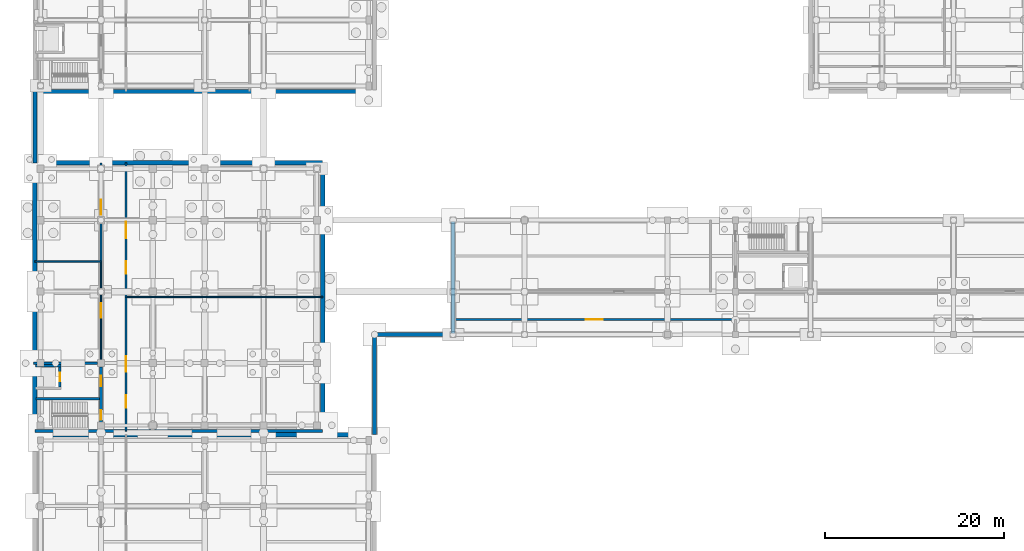
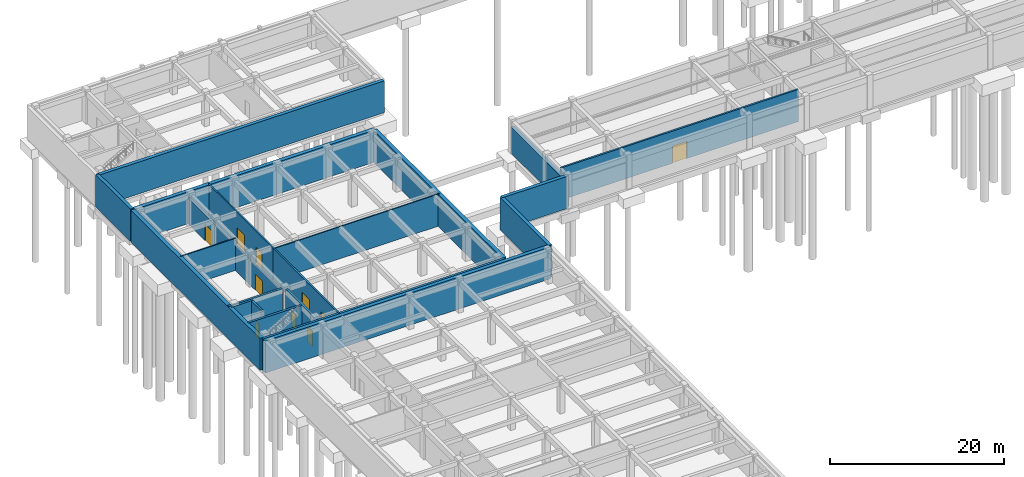
# One storey, part 21 of 35: 22 walls, 10 doors, 10 openings.
"""IFC4 building model written with IfcOpenShell, lengths in metres."""

from ifc_helpers import new_model, si_unit, direction, frame, frame_2d, origin, place, context, subcontext, project, spatial, rectangle, extrude, material, layer, layer_set, type_object, element, fill, save


model = new_model("IFC4")

# Units and contexts
model_context = context("Model", 3, precision=1e-05, world=origin(), true_north=direction((0.0, 1.0)))
body_context = subcontext(model_context, "Body", "Model", "MODEL_VIEW")
ifc_project = project(units=[si_unit("LENGTHUNIT", "METRE"), si_unit("AREAUNIT", "SQUARE_METRE"), si_unit("VOLUMEUNIT", "CUBIC_METRE"), si_unit("PLANEANGLEUNIT", "RADIAN"), si_unit("MASSUNIT", "GRAM", prefix="KILO")], contexts=[model_context])

# Site, building, storey
site_placement = place(None, origin())
site = spatial("IfcSite", under=ifc_project, at=site_placement, CompositionType="ELEMENT")
building_placement = place(site_placement, origin())
building = spatial("IfcBuilding", under=site, at=building_placement, Name="Cinchona Park Media Centre", CompositionType="ELEMENT")
storey_placement = place(building_placement, frame((0.0, 0.0, -4.800048828125)))
storey = spatial("IfcBuildingStorey", under=building, at=storey_placement, Name="B1", CompositionType="ELEMENT", Elevation=-4.800048828125)

# Wall, openings, doors
ifc_material_1 = material(Name="Acoustic Double-Stud Gypsum Partition", Category="gypsum")
ifc_layer_1 = layer(ifc_material_1, 0.2099609375)
ifc_layer_set_1 = layer_set([ifc_layer_1], Name="Acoustic Double-Stud Gypsum Partition")
wall_type_1 = type_object("IfcWallType", Name="WALL-W-AC210", PredefinedType="PARTITIONING", material=ifc_layer_set_1)
wall_1_placement = place(storey_placement, frame((18.199951171875, 79.0, 0.0), z_axis=(0.0, 0.0, 1.0), x_axis=(0.0, -1.0, 0.0)))
wall_1 = element("IfcWall", 1, at=wall_1_placement, inside=storey, type_object=wall_type_1, Name="Interior Wall W-AC210 B1", PredefinedType="PARTITIONING", context=body_context, shape_type="SweptSolid", body=[
    extrude(rectangle(XDim=15.0, YDim=0.2099609375, at=frame_2d((7.5, 0.0))), origin(), (0.0, 0.0, 1.0), 4.5),
])
opening_1_placement = place(wall_1_placement, frame((6.625, 0.0, 0.0)))
opening_1 = element("IfcOpeningElement", 2, at=opening_1_placement, cuts=wall_1, Name="Opening D156", PredefinedType="OPENING", context=body_context, shape_type="SweptSolid", body=[
    extrude(rectangle(XDim=1.75, YDim=2.35009765625, at=frame_2d((0.875, 1.175048828125))), frame((0.0, 0.114990234375, 0.0), z_axis=(0.0, -1.0, 0.0), x_axis=(1.0, 0.0, 0.0)), (0.0, 0.0, 1.0), 0.22998046875),
])
opening_2_placement = place(wall_1_placement, frame((11.0, 0.0, 0.0)))
opening_2 = element("IfcOpeningElement", 3, at=opening_2_placement, cuts=wall_1, Name="Opening D157", PredefinedType="OPENING", context=body_context, shape_type="SweptSolid", body=[
    extrude(rectangle(XDim=1.39990234375, YDim=2.25, at=frame_2d((0.699951171875, 1.125))), frame((0.0, 0.114990234375, 0.0), z_axis=(0.0, -1.0, 0.0), x_axis=(1.0, 0.0, 0.0)), (0.0, 0.0, 1.0), 0.22998046875),
])
ifc_material_2 = material(Name="Acoustic Double-Seal Steel Door", Category="steel")
door_type_1 = type_object("IfcDoorType", Name="DOOR-DT-AC", OperationType="NOTDEFINED", PredefinedType="DOOR", material=ifc_material_2)
door_1_placement = place(opening_2_placement, origin())
door_1 = element("IfcDoor", 4, at=door_1_placement, inside=storey, type_object=door_type_1, Name="Interior Door D157", OperationType="SINGLE_SWING_LEFT", OverallHeight=2.25, OverallWidth=1.39990234375, PredefinedType="DOOR", context=body_context, shape_type="SweptSolid", body=[
    extrude(rectangle(XDim=1.39990234375, YDim=2.25, at=frame_2d((0.699951171875, 1.125))), frame((0.0, 0.02490234375, 0.0), z_axis=(0.0, -1.0, 0.0), x_axis=(1.0, 0.0, 0.0)), (0.0, 0.0, 1.0), 0.050048828125),
])
fill(opening_2, door_1)
ifc_material_3 = material(Name="Fire-Rated Acoustic Timber-Steel Door", Category="steel")
door_type_2 = type_object("IfcDoorType", Name="DOOR-DT20", OperationType="NOTDEFINED", PredefinedType="DOOR", material=ifc_material_3)
door_2_placement = place(opening_1_placement, origin())
door_2 = element("IfcDoor", 5, at=door_2_placement, inside=storey, type_object=door_type_2, Name="Interior Door D156", OperationType="SINGLE_SWING_RIGHT", OverallHeight=2.35009765625, OverallWidth=1.75, PredefinedType="DOOR", context=body_context, shape_type="SweptSolid", body=[
    extrude(rectangle(XDim=1.75, YDim=2.35009765625, at=frame_2d((0.875, 1.175048828125))), frame((0.0, 0.02490234375, 0.0), z_axis=(0.0, -1.0, 0.0), x_axis=(1.0, 0.0, 0.0)), (0.0, 0.0, 1.0), 0.050048828125),
])
fill(opening_1, door_2)

# Wall, opening, door
ifc_material_4 = material(Name="Acoustic Double-Stud Gypsum Partition", Category="gypsum")
ifc_layer_2 = layer(ifc_material_4, 0.239990234375)
ifc_layer_set_2 = layer_set([ifc_layer_2], Name="Acoustic Double-Stud Gypsum Partition")
wall_type_2 = type_object("IfcWallType", Name="WALL-W-AC240", PredefinedType="PARTITIONING", material=ifc_layer_set_2)
wall_2_placement = place(storey_placement, frame((15.39990234375, 83.0, 0.0), z_axis=(0.0, 0.0, 1.0), x_axis=(0.0, 1.0, 0.0)))
wall_2 = element("IfcWall", 6, at=wall_2_placement, inside=storey, type_object=wall_type_2, Name="Interior Wall W-AC240 B1", PredefinedType="PARTITIONING", context=body_context, shape_type="SweptSolid", body=[
    extrude(rectangle(XDim=11.0, YDim=0.239990234375, at=frame_2d((5.5, 0.0))), origin(), (0.0, 0.0, 1.0), 3.650146484375),
])
opening_3_placement = place(wall_2_placement, frame((5.179931640625, 0.0, 0.0)))
opening_3 = element("IfcOpeningElement", 7, at=opening_3_placement, cuts=wall_2, Name="Opening D155", PredefinedType="OPENING", context=body_context, shape_type="SweptSolid", body=[
    extrude(rectangle(XDim=1.699951171875, YDim=2.300048828125, at=frame_2d((0.85009765625, 1.14990234375))), frame((0.0, 0.1298828125, 0.0), z_axis=(0.0, -1.0, 0.0), x_axis=(1.0, 0.0, 0.0)), (0.0, 0.0, 1.0), 0.260009765625),
])
ifc_material_5 = material(Name="Fire-Rated Acoustic Timber-Steel Door", Category="steel")
door_type_3 = type_object("IfcDoorType", Name="DOOR-DT19", OperationType="NOTDEFINED", PredefinedType="DOOR", material=ifc_material_5)
door_3_placement = place(opening_3_placement, origin())
door_3 = element("IfcDoor", 8, at=door_3_placement, inside=storey, type_object=door_type_3, Name="Interior Door D155", OperationType="SINGLE_SWING_LEFT", OverallHeight=2.300048828125, OverallWidth=1.699951171875, PredefinedType="DOOR", context=body_context, shape_type="SweptSolid", body=[
    extrude(rectangle(XDim=1.699951171875, YDim=2.300048828125, at=frame_2d((0.85009765625, 1.14990234375))), frame((0.0, 0.02490234375, 0.0), z_axis=(0.0, -1.0, 0.0), x_axis=(1.0, 0.0, 0.0)), (0.0, 0.0, 1.0), 0.050048828125),
])
fill(opening_3, door_3)

wall_3_placement = place(storey_placement, frame((86.39990234375, 76.5, 0.0), z_axis=(0.0, 0.0, 1.0), x_axis=(-1.0, 0.0, 0.0)))
wall_3 = element("IfcWall", 9, at=wall_3_placement, inside=storey, type_object=wall_type_2, Name="Interior Wall W-AC240 B1", PredefinedType="PARTITIONING", context=body_context, shape_type="SweptSolid", body=[
    extrude(rectangle(XDim=31.599853515625, YDim=0.239990234375, at=frame_2d((15.7998046875, 0.0))), origin(), (0.0, 0.0, 1.0), 4.52001953125),
])
opening_4_placement = place(wall_3_placement, frame((14.860107421875, 0.0, 0.0)))
opening_4 = element("IfcOpeningElement", 10, at=opening_4_placement, cuts=wall_3, Name="Opening D160", PredefinedType="OPENING", context=body_context, shape_type="SweptSolid", body=[
    extrude(rectangle(XDim=1.8798828125, YDim=2.39990234375, at=frame_2d((0.93994140625, 1.199951171875))), frame((0.0, 0.1298828125, 0.0), z_axis=(0.0, -1.0, 0.0), x_axis=(1.0, 0.0, 0.0)), (0.0, 0.0, 1.0), 0.260009765625),
])
ifc_material_6 = material(Name="Fire-Rated Acoustic Timber-Steel Door", Category="steel")
door_type_4 = type_object("IfcDoorType", Name="DOOR-DT22", OperationType="NOTDEFINED", PredefinedType="DOOR", material=ifc_material_6)
door_4_placement = place(opening_4_placement, origin())
door_4 = element("IfcDoor", 11, at=door_4_placement, inside=storey, type_object=door_type_4, Name="Interior Door D160", OperationType="SINGLE_SWING_RIGHT", OverallHeight=2.39990234375, OverallWidth=1.8798828125, PredefinedType="DOOR", context=body_context, shape_type="SweptSolid", body=[
    extrude(rectangle(XDim=1.8798828125, YDim=2.39990234375, at=frame_2d((0.93994140625, 1.199951171875))), frame((0.0, 0.02490234375, 0.0), z_axis=(0.0, -1.0, 0.0), x_axis=(1.0, 0.0, 0.0)), (0.0, 0.0, 1.0), 0.050048828125),
])
fill(opening_4, door_4)

# Walls
ifc_material_7 = material(Name="Concrete C40/50", Category="concrete")
ifc_layer_3 = layer(ifc_material_7, 0.300048828125)
ifc_layer_set_3 = layer_set([ifc_layer_3], Name="Concrete C40/50")
wall_type_3 = type_object("IfcWallType", Name="WALL-W-CR300", PredefinedType="SHEAR", material=ifc_layer_set_3)
wall_4_placement = place(storey_placement, frame((40.199951171875, 64.0, 0.0), z_axis=(0.0, 0.0, 1.0), x_axis=(-1.0, 0.0, 0.0)))
element("IfcWall", 12, at=wall_4_placement, inside=storey, type_object=wall_type_3, Name="Basement Retaining Wall W-CR300", PredefinedType="SHEAR", context=body_context, shape_type="SweptSolid", body=[
    extrude(rectangle(XDim=32.199951171875, YDim=0.300048828125, at=frame_2d((16.10009765625, 0.0))), origin(), (0.0, 0.0, 1.0), 4.5),
])
wall_5_placement = place(storey_placement, frame((7.85009765625, 71.60009765625, 0.0), z_axis=(0.0, 0.0, 1.0), x_axis=(1.0, 0.0, 0.0)))
element("IfcWall", 13, at=wall_5_placement, inside=storey, type_object=wall_type_3, Name="Core Shear Wall W-CR300 B1", PredefinedType="SHEAR", context=body_context, shape_type="SweptSolid", body=[
    extrude(rectangle(XDim=7.14794921875, YDim=0.300048828125, at=frame_2d((3.573974609375, 0.0))), origin(), (0.0, 0.0, 1.0), 4.5),
])

# Wall, openings, doors
wall_6_placement = place(storey_placement, frame((15.39990234375, 64.14990234375, 0.0), z_axis=(0.0, 0.0, 1.0), x_axis=(0.0, 1.0, 0.0)))
wall_6 = element("IfcWall", 14, at=wall_6_placement, inside=storey, type_object=wall_type_3, Name="Core Shear Wall W-CR300 B1", PredefinedType="SHEAR", context=body_context, shape_type="SweptSolid", body=[
    extrude(rectangle(XDim=7.048095703125, YDim=0.300048828125, at=frame_2d((3.52392578125, 0.0))), origin(), (0.0, 0.0, 1.0), 4.5),
])
opening_5_placement = place(wall_6_placement, frame((1.10009765625, 0.0, 0.0)))
opening_5 = element("IfcOpeningElement", 15, at=opening_5_placement, cuts=wall_6, Name="Opening D032", PredefinedType="OPENING", context=body_context, shape_type="SweptSolid", body=[
    extrude(rectangle(XDim=1.10009765625, YDim=2.14990234375, at=frame_2d((0.550048828125, 1.074951171875))), frame((0.0, 0.159912109375, 0.0), z_axis=(0.0, -1.0, 0.0), x_axis=(1.0, 0.0, 0.0)), (0.0, 0.0, 1.0), 0.320068359375),
])
opening_6_placement = place(wall_6_placement, frame((4.875, 0.0, 0.0)))
opening_6 = element("IfcOpeningElement", 16, at=opening_6_placement, cuts=wall_6, Name="Opening D033", PredefinedType="OPENING", context=body_context, shape_type="SweptSolid", body=[
    extrude(rectangle(XDim=1.14990234375, YDim=2.199951171875, at=frame_2d((0.574951171875, 1.10009765625))), frame((0.0, 0.159912109375, 0.0), z_axis=(0.0, -1.0, 0.0), x_axis=(1.0, 0.0, 0.0)), (0.0, 0.0, 1.0), 0.320068359375),
])
ifc_material_8 = material(Name="Insulated Fire-Rated Steel Door", Category="steel")
door_type_5 = type_object("IfcDoorType", Name="DOOR-DT-FF", OperationType="NOTDEFINED", PredefinedType="DOOR", material=ifc_material_8)
door_5_placement = place(opening_6_placement, origin())
door_5 = element("IfcDoor", 17, at=door_5_placement, inside=storey, type_object=door_type_5, Name="Interior Door D033", OperationType="SINGLE_SWING_LEFT", OverallHeight=2.199951171875, OverallWidth=1.14990234375, PredefinedType="DOOR", context=body_context, shape_type="SweptSolid", body=[
    extrude(rectangle(XDim=1.14990234375, YDim=2.199951171875, at=frame_2d((0.574951171875, 1.10009765625))), frame((0.0, 0.02490234375, 0.0), z_axis=(0.0, -1.0, 0.0), x_axis=(1.0, 0.0, 0.0)), (0.0, 0.0, 1.0), 0.050048828125),
])
fill(opening_6, door_5)
ifc_material_9 = material(Name="Insulated Fire-Rated Steel Door", Category="steel")
door_type_6 = type_object("IfcDoorType", Name="DOOR-DT-ST", OperationType="NOTDEFINED", PredefinedType="DOOR", material=ifc_material_9)
door_6_placement = place(opening_5_placement, origin())
door_6 = element("IfcDoor", 18, at=door_6_placement, inside=storey, type_object=door_type_6, Name="Interior Door D032", OperationType="SINGLE_SWING_RIGHT", OverallHeight=2.14990234375, OverallWidth=1.10009765625, PredefinedType="DOOR", context=body_context, shape_type="SweptSolid", body=[
    extrude(rectangle(XDim=1.10009765625, YDim=2.14990234375, at=frame_2d((0.550048828125, 1.074951171875))), frame((0.0, 0.02490234375, 0.0), z_axis=(0.0, -1.0, 0.0), x_axis=(1.0, 0.0, 0.0)), (0.0, 0.0, 1.0), 0.050048828125),
])
fill(opening_5, door_6)

# Wall
wall_7_placement = place(storey_placement, frame((8.14990234375, 67.60009765625, 0.0), z_axis=(0.0, 0.0, 1.0), x_axis=(1.0, 0.0, 0.0)))
element("IfcWall", 19, at=wall_7_placement, inside=storey, type_object=wall_type_3, Name="Core Shear Wall W-CR300 B1", PredefinedType="SHEAR", context=body_context, shape_type="SweptSolid", body=[
    extrude(rectangle(XDim=7.10009765625, YDim=0.300048828125, at=frame_2d((3.550048828125, 0.0))), origin(), (0.0, 0.0, 1.0), 4.5),
])

# Wall, opening, door
ifc_material_10 = material(Name="Fire-Rated Gypsum Stud Partition", Category="gypsum")
ifc_layer_4 = layer(ifc_material_10, 0.14990234375)
ifc_layer_set_4 = layer_set([ifc_layer_4], Name="Fire-Rated Gypsum Stud Partition")
wall_type_4 = type_object("IfcWallType", Name="WALL-W-PT150", PredefinedType="PARTITIONING", material=ifc_layer_set_4)
wall_8_placement = place(storey_placement, frame((15.39990234375, 72.001953125, 0.0), z_axis=(0.0, 0.0, 1.0), x_axis=(0.0, 1.0, 0.0)))
wall_8 = element("IfcWall", 20, at=wall_8_placement, inside=storey, type_object=wall_type_4, Name="Interior Wall W-PT150 B1", PredefinedType="PARTITIONING", context=body_context, shape_type="SweptSolid", body=[
    extrude(rectangle(XDim=10.998046875, YDim=0.14990234375, at=frame_2d((5.4990234375, 0.0))), origin(), (0.0, 0.0, 1.0), 3.650146484375),
])
opening_7_placement = place(wall_8_placement, frame((4.674072265625, 0.0, 0.0)))
opening_7 = element("IfcOpeningElement", 21, at=opening_7_placement, cuts=wall_8, Name="Opening D154", PredefinedType="OPENING", context=body_context, shape_type="SweptSolid", body=[
    extrude(rectangle(XDim=1.64990234375, YDim=2.300048828125, at=frame_2d((0.824951171875, 1.14990234375))), frame((0.0, 0.0849609375, 0.0), z_axis=(0.0, -1.0, 0.0), x_axis=(1.0, 0.0, 0.0)), (0.0, 0.0, 1.0), 0.169921875),
])
ifc_material_11 = material(Name="Fire-Rated Acoustic Timber-Steel Door", Category="steel")
door_type_7 = type_object("IfcDoorType", Name="DOOR-DT18", OperationType="NOTDEFINED", PredefinedType="DOOR", material=ifc_material_11)
door_7_placement = place(opening_7_placement, origin())
door_7 = element("IfcDoor", 22, at=door_7_placement, inside=storey, type_object=door_type_7, Name="Interior Door D154", OperationType="SINGLE_SWING_RIGHT", OverallHeight=2.300048828125, OverallWidth=1.64990234375, PredefinedType="DOOR", context=body_context, shape_type="SweptSolid", body=[
    extrude(rectangle(XDim=1.64990234375, YDim=2.300048828125, at=frame_2d((0.824951171875, 1.14990234375))), frame((0.0, 0.02490234375, 0.0), z_axis=(0.0, -1.0, 0.0), x_axis=(1.0, 0.0, 0.0)), (0.0, 0.0, 1.0), 0.050048828125),
])
fill(opening_7, door_7)

# Walls
wall_9_placement = place(storey_placement, frame((18.199951171875, 79.0, 0.0), z_axis=(0.0, 0.0, 1.0), x_axis=(1.0, 0.0, 0.0)))
element("IfcWall", 23, at=wall_9_placement, inside=storey, type_object=wall_type_4, Name="Interior Wall W-PT150 B1", PredefinedType="PARTITIONING", context=body_context, shape_type="SweptSolid", body=[
    extrude(rectangle(XDim=22.0, YDim=0.14990234375, at=frame_2d((11.0, 0.0))), origin(), (0.0, 0.0, 1.0), 4.5),
])
ifc_material_12 = material(Name="Fire-Rated Gypsum Stud Partition", Category="gypsum")
ifc_layer_5 = layer(ifc_material_12, 0.1650390625)
ifc_layer_set_5 = layer_set([ifc_layer_5], Name="Fire-Rated Gypsum Stud Partition")
wall_type_5 = type_object("IfcWallType", Name="WALL-W-PT165", PredefinedType="PARTITIONING", material=ifc_layer_set_5)
wall_10_placement = place(storey_placement, frame((8.0, 83.0, 0.0), z_axis=(0.0, 0.0, 1.0), x_axis=(1.0, 0.0, 0.0)))
element("IfcWall", 24, at=wall_10_placement, inside=storey, type_object=wall_type_5, Name="Interior Wall W-PT165 B1", PredefinedType="PARTITIONING", context=body_context, shape_type="SweptSolid", body=[
    extrude(rectangle(XDim=7.39990234375, YDim=0.1650390625, at=frame_2d((3.699951171875, 0.0))), origin(), (0.0, 0.0, 1.0), 4.5),
])

# Wall, openings, doors
ifc_material_13 = material(Name="Fire-Rated Gypsum Stud Partition", Category="gypsum")
ifc_layer_6 = layer(ifc_material_13, 0.18994140625)
ifc_layer_set_6 = layer_set([ifc_layer_6], Name="Fire-Rated Gypsum Stud Partition")
wall_type_6 = type_object("IfcWallType", Name="WALL-W-PT190", PredefinedType="PARTITIONING", material=ifc_layer_set_6)
wall_11_placement = place(storey_placement, frame((18.199951171875, 94.0, 0.0), z_axis=(0.0, 0.0, 1.0), x_axis=(0.0, -1.0, 0.0)))
wall_11 = element("IfcWall", 25, at=wall_11_placement, inside=storey, type_object=wall_type_6, Name="Interior Wall W-PT190 B1", PredefinedType="PARTITIONING", context=body_context, shape_type="SweptSolid", body=[
    extrude(rectangle(XDim=15.0, YDim=0.18994140625, at=frame_2d((7.5, 0.0))), origin(), (0.0, 0.0, 1.0), 4.5),
])
opening_8_placement = place(wall_11_placement, frame((6.590087890625, 0.0, 0.0)))
opening_8 = element("IfcOpeningElement", 26, at=opening_8_placement, cuts=wall_11, Name="Opening D158", PredefinedType="OPENING", context=body_context, shape_type="SweptSolid", body=[
    extrude(rectangle(XDim=1.820068359375, YDim=2.35009765625, at=frame_2d((0.91015625, 1.175048828125))), frame((0.0, 0.10498046875, 0.0), z_axis=(0.0, -1.0, 0.0), x_axis=(1.0, 0.0, 0.0)), (0.0, 0.0, 1.0), 0.2099609375),
])
opening_9_placement = place(wall_11_placement, frame((11.0, 0.0, 0.0)))
opening_9 = element("IfcOpeningElement", 27, at=opening_9_placement, cuts=wall_11, Name="Opening D159", PredefinedType="OPENING", context=body_context, shape_type="SweptSolid", body=[
    extrude(rectangle(XDim=1.39990234375, YDim=2.25, at=frame_2d((0.699951171875, 1.125))), frame((0.0, 0.10498046875, 0.0), z_axis=(0.0, -1.0, 0.0), x_axis=(1.0, 0.0, 0.0)), (0.0, 0.0, 1.0), 0.2099609375),
])
door_8_placement = place(opening_9_placement, origin())
door_8 = element("IfcDoor", 28, at=door_8_placement, inside=storey, type_object=door_type_1, Name="Interior Door D159", OperationType="SINGLE_SWING_LEFT", OverallHeight=2.25, OverallWidth=1.39990234375, PredefinedType="DOOR", context=body_context, shape_type="SweptSolid", body=[
    extrude(rectangle(XDim=1.39990234375, YDim=2.25, at=frame_2d((0.699951171875, 1.125))), frame((0.0, 0.02490234375, 0.0), z_axis=(0.0, -1.0, 0.0), x_axis=(1.0, 0.0, 0.0)), (0.0, 0.0, 1.0), 0.050048828125),
])
fill(opening_9, door_8)
ifc_material_14 = material(Name="Fire-Rated Acoustic Timber-Steel Door", Category="steel")
door_type_8 = type_object("IfcDoorType", Name="DOOR-DT21", OperationType="NOTDEFINED", PredefinedType="DOOR", material=ifc_material_14)
door_9_placement = place(opening_8_placement, origin())
door_9 = element("IfcDoor", 29, at=door_9_placement, inside=storey, type_object=door_type_8, Name="Interior Door D158", OperationType="SINGLE_SWING_RIGHT", OverallHeight=2.35009765625, OverallWidth=1.820068359375, PredefinedType="DOOR", context=body_context, shape_type="SweptSolid", body=[
    extrude(rectangle(XDim=1.820068359375, YDim=2.35009765625, at=frame_2d((0.91015625, 1.175048828125))), frame((0.0, 0.02490234375, 0.0), z_axis=(0.0, -1.0, 0.0), x_axis=(1.0, 0.0, 0.0)), (0.0, 0.0, 1.0), 0.050048828125),
])
fill(opening_8, door_9)

# Walls
ifc_material_15 = material(Name="Concrete C40/50", Category="concrete")
ifc_layer_7 = layer(ifc_material_15, 0.5)
ifc_layer_set_7 = layer_set([ifc_layer_7], Name="Concrete C40/50")
wall_type_7 = type_object("IfcWallType", Name="WALL-W-RT01", PredefinedType="USERDEFINED", material=ifc_layer_set_7)
wall_12_placement = place(storey_placement, frame((8.0, 63.60009765625, 0.0), z_axis=(0.0, 0.0, 1.0), x_axis=(1.0, 0.0, 0.0)))
element("IfcWall", 30, at=wall_12_placement, inside=storey, type_object=wall_type_7, Name="Basement Retaining Wall W-RT01", ObjectType="RETAININGWALL", PredefinedType="USERDEFINED", context=body_context, shape_type="SweptSolid", body=[
    extrude(rectangle(XDim=38.0, YDim=0.5, at=frame_2d((19.0, 0.0))), origin(), (0.0, 0.0, 1.0), 4.5),
])
wall_13_placement = place(storey_placement, frame((8.0, 94.0, 0.0), z_axis=(0.0, 0.0, 1.0), x_axis=(1.0, 0.0, 0.0)))
element("IfcWall", 31, at=wall_13_placement, inside=storey, type_object=wall_type_7, Name="Basement Retaining Wall W-RT01", ObjectType="RETAININGWALL", PredefinedType="USERDEFINED", context=body_context, shape_type="SweptSolid", body=[
    extrude(rectangle(XDim=32.199951171875, YDim=0.5, at=frame_2d((16.10009765625, 0.0))), origin(), (0.0, 0.0, 1.0), 4.5),
])
for number, where, z_axis, x_axis, name in (
    (32, (40.199951171875, 93.860107421875, 0.0), (0.0, 0.0, 1.0), (0.0, -1.0, 0.0), "Basement Retaining Wall W-RT01"),
    (33, (8.0, 64.139892578125, 0.0), (0.0, 0.0, 1.0), (0.0, 1.0, 0.0), "Basement Retaining Wall W-RT01"),
):
    element("IfcWall", number, at=place(storey_placement, frame(where, z_axis=z_axis, x_axis=x_axis)), inside=storey, type_object=wall_type_7, Name=name, ObjectType="RETAININGWALL", PredefinedType="USERDEFINED", context=body_context, shape_type="SweptSolid", body=[
        extrude(rectangle(XDim=29.72021484375, YDim=0.5, at=frame_2d((14.860107421875, 0.0))), origin(), (0.0, 0.0, 1.0), 4.5),
    ])
ifc_material_16 = material(Name="Concrete C40/50", Category="concrete")
ifc_layer_8 = layer(ifc_material_16, 0.449951171875)
ifc_layer_set_8 = layer_set([ifc_layer_8], Name="Concrete C40/50")
wall_type_8 = type_object("IfcWallType", Name="WALL-W-RT02", PredefinedType="USERDEFINED", material=ifc_layer_set_8)
wall_14_placement = place(storey_placement, frame((8.0, 94.02001953125, 0.0), z_axis=(0.0, 0.0, 1.0), x_axis=(0.0, 1.0, 0.0)))
element("IfcWall", 34, at=wall_14_placement, inside=storey, type_object=wall_type_8, Name="Basement Plinth Perimeter Retaining Wall W-RT02", ObjectType="RETAININGWALL", PredefinedType="USERDEFINED", context=body_context, shape_type="SweptSolid", body=[
    extrude(rectangle(XDim=7.9599609375, YDim=0.449951171875, at=frame_2d((3.97998046875, 0.0))), origin(), (0.0, 0.0, 1.0), 4.530029296875),
])
wall_15_placement = place(storey_placement, frame((46.02001953125, 63.6201171875, 0.0), z_axis=(0.0, 0.0, 1.0), x_axis=(0.0, 1.0, 0.0)))
element("IfcWall", 35, at=wall_15_placement, inside=storey, type_object=wall_type_8, Name="Basement Plinth Perimeter Retaining Wall W-RT02", ObjectType="RETAININGWALL", PredefinedType="USERDEFINED", context=body_context, shape_type="SweptSolid", body=[
    extrude(rectangle(XDim=11.159912109375, YDim=0.449951171875, at=frame_2d((5.580078125, 0.0))), origin(), (0.0, 0.0, 1.0), 4.530029296875),
])
wall_16_placement = place(storey_placement, frame((46.02001953125, 74.800048828125, 0.0), z_axis=(0.0, 0.0, 1.0), x_axis=(1.0, 0.0, 0.0)))
element("IfcWall", 36, at=wall_16_placement, inside=storey, type_object=wall_type_8, Name="Basement Plinth Perimeter Retaining Wall W-RT02", ObjectType="RETAININGWALL", PredefinedType="USERDEFINED", context=body_context, shape_type="SweptSolid", body=[
    extrude(rectangle(XDim=8.760009765625, YDim=0.449951171875, at=frame_2d((4.3798828125, 0.0))), origin(), (0.0, 0.0, 1.0), 4.530029296875),
])
wall_17_placement = place(storey_placement, frame((46.0, 102.0, 0.0), z_axis=(0.0, 0.0, 1.0), x_axis=(-1.0, 0.0, 0.0)))
element("IfcWall", 37, at=wall_17_placement, inside=storey, type_object=wall_type_8, Name="Basement Retaining Wall W-RT02", ObjectType="RETAININGWALL", PredefinedType="USERDEFINED", context=body_context, shape_type="SweptSolid", body=[
    extrude(rectangle(XDim=38.0, YDim=0.449951171875, at=frame_2d((19.0, 0.0))), origin(), (0.0, 0.0, 1.0), 4.47509765625),
])
wall_18_placement = place(storey_placement, frame((54.800048828125, 74.93994140625, 0.0), z_axis=(0.0, 0.0, 1.0), x_axis=(0.0, 1.0, 0.0)))
element("IfcWall", 38, at=wall_18_placement, inside=storey, type_object=wall_type_8, Name="Basement Retaining Wall W-RT02", ObjectType="RETAININGWALL", PredefinedType="USERDEFINED", context=body_context, shape_type="SweptSolid", body=[
    extrude(rectangle(XDim=12.52001953125, YDim=0.449951171875, at=frame_2d((6.260009765625, 0.0))), origin(), (0.0, 0.0, 1.0), 3.670166015625),
])
ifc_material_17 = material(Name="Concrete C40/50", Category="concrete")
ifc_layer_9 = layer(ifc_material_17, 0.2900390625)
ifc_layer_set_9 = layer_set([ifc_layer_9], Name="Concrete C40/50")
wall_type_9 = type_object("IfcWallType", Name="WALL-W-SH290", PredefinedType="SHEAR", material=ifc_layer_set_9)
wall_19_placement = place(storey_placement, frame((8.054931640625, 71.300048828125, 0.0), z_axis=(0.0, 0.0, 1.0), x_axis=(1.0, 0.0, 0.0)))
element("IfcWall", 39, at=wall_19_placement, inside=storey, type_object=wall_type_9, Name="Core Shear Wall W-SH290 B1", PredefinedType="SHEAR", context=body_context, shape_type="SweptSolid", body=[
    extrude(rectangle(XDim=2.89013671875, YDim=0.2900390625, at=frame_2d((1.445068359375, 0.0))), origin(), (0.0, 0.0, 1.0), 4.5),
])

# Wall, opening, door
wall_20_placement = place(storey_placement, frame((10.800048828125, 68.945068359375, 0.0), z_axis=(0.0, 0.0, 1.0), x_axis=(0.0, 1.0, 0.0)))
wall_20 = element("IfcWall", 40, at=wall_20_placement, inside=storey, type_object=wall_type_9, Name="Core Shear Wall W-SH290 B1", PredefinedType="SHEAR", context=body_context, shape_type="SweptSolid", body=[
    extrude(rectangle(XDim=2.2099609375, YDim=0.2900390625, at=frame_2d((1.10498046875, 0.0))), origin(), (0.0, 0.0, 1.0), 4.5),
])
opening_10_placement = place(wall_20_placement, frame((0.60498046875, 0.0, 0.0)))
opening_10 = element("IfcOpeningElement", 41, at=opening_10_placement, cuts=wall_20, Name="Opening LD03", PredefinedType="OPENING", context=body_context, shape_type="SweptSolid", body=[
    extrude(rectangle(XDim=1.0, YDim=2.14990234375, at=frame_2d((0.5, 1.074951171875))), frame((0.0, 0.155029296875, 0.0), z_axis=(0.0, -1.0, 0.0), x_axis=(1.0, 0.0, 0.0)), (0.0, 0.0, 1.0), 0.31005859375),
])
ifc_material_18 = material(Name="Stainless Steel Sliding Lift Landing Door", Category="steel")
door_type_9 = type_object("IfcDoorType", Name="DOOR-DT-LD2", OperationType="NOTDEFINED", PredefinedType="DOOR", material=ifc_material_18)
door_10_placement = place(opening_10_placement, origin())
door_10 = element("IfcDoor", 42, at=door_10_placement, inside=storey, type_object=door_type_9, Name="Lift Landing Door LD03", OperationType="SLIDING_TO_LEFT", OverallHeight=2.14990234375, OverallWidth=1.0, PredefinedType="DOOR", context=body_context, shape_type="SweptSolid", body=[
    extrude(rectangle(XDim=1.0, YDim=2.14990234375, at=frame_2d((0.5, 1.074951171875))), frame((0.0, 0.02490234375, 0.0), z_axis=(0.0, -1.0, 0.0), x_axis=(1.0, 0.0, 0.0)), (0.0, 0.0, 1.0), 0.050048828125),
])
fill(opening_10, door_10)

save(model, "model.ifc")
